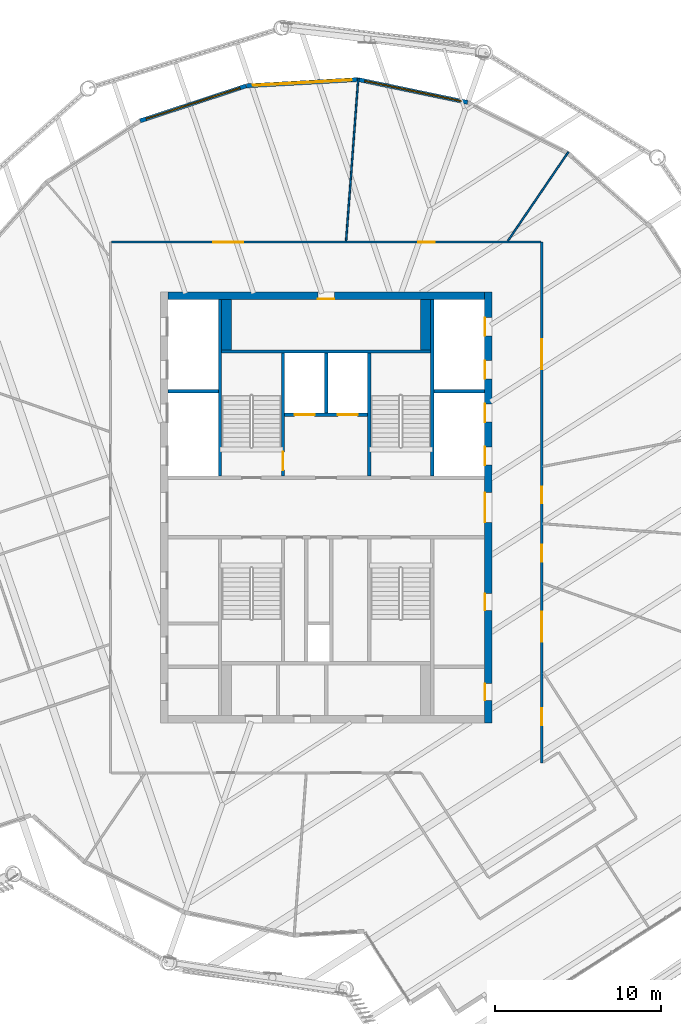
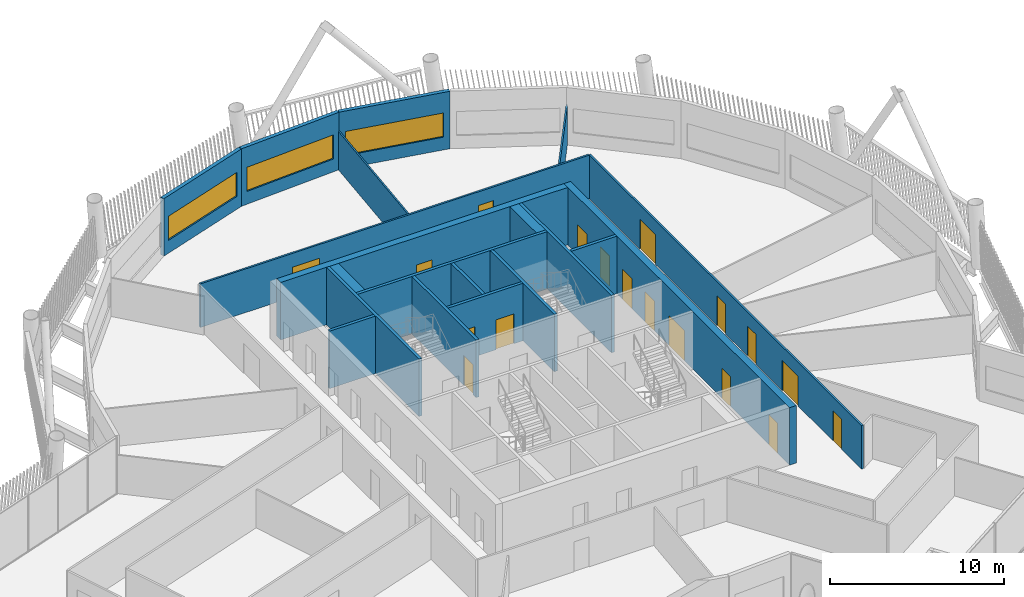
# One storey, part 19 of 35: 20 walls, 18 doors, 3 windows, 21 openings.
"""IFC4 building model written with IfcOpenShell, lengths in metres."""

from ifc_helpers import new_model, si_unit, direction, frame, frame_2d, origin, place, context, subcontext, project, spatial, rectangle, extrude, material, layer, layer_set, type_object, element, fill, save


model = new_model("IFC4")

# Units and contexts
model_context = context("Model", 3, precision=1e-05, world=origin(), true_north=direction((0.0, 1.0)))
body_context = subcontext(model_context, "Body", "Model", "MODEL_VIEW")
ifc_project = project(units=[si_unit("LENGTHUNIT", "METRE"), si_unit("AREAUNIT", "SQUARE_METRE"), si_unit("VOLUMEUNIT", "CUBIC_METRE"), si_unit("PLANEANGLEUNIT", "RADIAN"), si_unit("MASSUNIT", "GRAM", prefix="KILO")], contexts=[model_context])

# Site, building, storey
site_placement = place(None, origin())
site = spatial("IfcSite", under=ifc_project, at=site_placement, CompositionType="ELEMENT")
building_placement = place(site_placement, origin())
building = spatial("IfcBuilding", under=site, at=building_placement, Name="Tarsis Ring Headquarters", CompositionType="ELEMENT")
storey_placement = place(building_placement, frame((0.0, 0.0, 360.800048828125)))
storey = spatial("IfcBuildingStorey", under=building, at=storey_placement, Name="L85", CompositionType="ELEMENT", Elevation=360.800048828125)

# Wall, openings, doors
ifc_material_1 = material(Name="Concrete C50/60", Category="concrete")
ifc_layer_1 = layer(ifc_material_1, 0.449951171875)
ifc_layer_set_1 = layer_set([ifc_layer_1], Name="Core wall 450 C50/60")
wall_type_1 = type_object("IfcWallType", Name="Core wall 450 C50/60", PredefinedType="SHEAR", material=ifc_layer_set_1)
wall_1_placement = place(storey_placement, frame((9.77490234375, -13.0, 0.0), z_axis=(0.0, 0.0, 1.0), x_axis=(0.0, 1.0, 0.0)))
wall_1 = element("IfcWall", 1, at=wall_1_placement, inside=storey, type_object=wall_type_1, Name="Core wall OE", PredefinedType="SHEAR", context=body_context, shape_type="SweptSolid", body=[
    extrude(rectangle(XDim=26.0, YDim=0.449951171875, at=frame_2d((13.0, 0.0))), origin(), (0.0, 0.0, 1.0), 4.0400390625),
])
opening_1_placement = place(wall_1_placement, frame((1.375, 0.0, 0.0)))
opening_1 = element("IfcOpeningElement", 2, at=opening_1_placement, cuts=wall_1, Name="Opening L85-C09", PredefinedType="OPENING", context=body_context, shape_type="SweptSolid", body=[
    extrude(rectangle(XDim=1.0, YDim=2.10009765625, at=frame_2d((0.5, 1.050048828125))), frame((0.0, 0.23486328125, 0.0), z_axis=(0.0, -1.0, 0.0), x_axis=(1.0, 0.0, 0.0)), (0.0, 0.0, 1.0), 0.469970703125),
])
opening_2_placement = place(wall_1_placement, frame((6.800048828125, 0.0, 0.0)))
opening_2 = element("IfcOpeningElement", 3, at=opening_2_placement, cuts=wall_1, Name="Opening L85-C10", PredefinedType="OPENING", context=body_context, shape_type="SweptSolid", body=[
    extrude(rectangle(XDim=1.0, YDim=2.10009765625, at=frame_2d((0.5, 1.050048828125))), frame((0.0, 0.23486328125, 0.0), z_axis=(0.0, -1.0, 0.0), x_axis=(1.0, 0.0, 0.0)), (0.0, 0.0, 1.0), 0.469970703125),
])
opening_3_placement = place(wall_1_placement, frame((12.10009765625, 0.0, 0.0)))
opening_3 = element("IfcOpeningElement", 4, at=opening_3_placement, cuts=wall_1, Name="Opening L85-C11", PredefinedType="OPENING", context=body_context, shape_type="SweptSolid", body=[
    extrude(rectangle(XDim=1.800048828125, YDim=2.10009765625, at=frame_2d((0.89990234375, 1.050048828125))), frame((0.0, 0.23486328125, 0.0), z_axis=(0.0, -1.0, 0.0), x_axis=(1.0, 0.0, 0.0)), (0.0, 0.0, 1.0), 0.469970703125),
])
opening_4_placement = place(wall_1_placement, frame((15.550048828125, 0.0, 0.0)))
opening_4 = element("IfcOpeningElement", 5, at=opening_4_placement, cuts=wall_1, Name="Opening LD-HR5", PredefinedType="OPENING", context=body_context, shape_type="SweptSolid", body=[
    extrude(rectangle(XDim=1.10009765625, YDim=2.10009765625, at=frame_2d((0.550048828125, 1.050048828125))), frame((0.0, 0.23486328125, 0.0), z_axis=(0.0, -1.0, 0.0), x_axis=(1.0, 0.0, 0.0)), (0.0, 0.0, 1.0), 0.469970703125),
])
opening_5_placement = place(wall_1_placement, frame((18.14990234375, 0.0, 0.0)))
opening_5 = element("IfcOpeningElement", 6, at=opening_5_placement, cuts=wall_1, Name="Opening LD-HR6", PredefinedType="OPENING", context=body_context, shape_type="SweptSolid", body=[
    extrude(rectangle(XDim=1.10009765625, YDim=2.10009765625, at=frame_2d((0.550048828125, 1.050048828125))), frame((0.0, 0.23486328125, 0.0), z_axis=(0.0, -1.0, 0.0), x_axis=(1.0, 0.0, 0.0)), (0.0, 0.0, 1.0), 0.469970703125),
])
opening_6_placement = place(wall_1_placement, frame((20.75, 0.0, 0.0)))
opening_6 = element("IfcOpeningElement", 7, at=opening_6_placement, cuts=wall_1, Name="Opening LD-HR7", PredefinedType="OPENING", context=body_context, shape_type="SweptSolid", body=[
    extrude(rectangle(XDim=1.10009765625, YDim=2.10009765625, at=frame_2d((0.550048828125, 1.050048828125))), frame((0.0, 0.23486328125, 0.0), z_axis=(0.0, -1.0, 0.0), x_axis=(1.0, 0.0, 0.0)), (0.0, 0.0, 1.0), 0.469970703125),
])
opening_7_placement = place(wall_1_placement, frame((23.35009765625, 0.0, 0.0)))
opening_7 = element("IfcOpeningElement", 8, at=opening_7_placement, cuts=wall_1, Name="Opening LD-HR8", PredefinedType="OPENING", context=body_context, shape_type="SweptSolid", body=[
    extrude(rectangle(XDim=1.10009765625, YDim=2.10009765625, at=frame_2d((0.550048828125, 1.050048828125))), frame((0.0, 0.23486328125, 0.0), z_axis=(0.0, -1.0, 0.0), x_axis=(1.0, 0.0, 0.0)), (0.0, 0.0, 1.0), 0.469970703125),
])
ifc_material_2 = material(Name="Steel S355", Category="steel")
door_type_1 = type_object("IfcDoorType", Name="Core entry door 1800x2100", OperationType="DOUBLE_DOOR_SINGLE_SWING", PredefinedType="DOOR", material=ifc_material_2)
door_1_placement = place(opening_3_placement, origin())
door_1 = element("IfcDoor", 9, at=door_1_placement, inside=storey, type_object=door_type_1, Name="Core entry door L85", OperationType="DOUBLE_DOOR_SINGLE_SWING", OverallHeight=2.10009765625, OverallWidth=1.800048828125, PredefinedType="DOOR", context=body_context, shape_type="SweptSolid", body=[
    extrude(rectangle(XDim=1.800048828125, YDim=2.10009765625, at=frame_2d((0.89990234375, 1.050048828125))), frame((0.0, 0.22509765625, 0.0), z_axis=(0.0, -1.0, 0.0), x_axis=(1.0, 0.0, 0.0)), (0.0, 0.0, 1.0), 0.050048828125),
])
fill(opening_3, door_1)
door_type_2 = type_object("IfcDoorType", Name="Core room door 1000x2100", OperationType="SINGLE_SWING_LEFT", PredefinedType="DOOR", material=ifc_material_2)
door_2_placement = place(opening_1_placement, origin())
door_2 = element("IfcDoor", 10, at=door_2_placement, inside=storey, type_object=door_type_2, Name="Core room door L85", OperationType="SINGLE_SWING_LEFT", OverallHeight=2.10009765625, OverallWidth=1.0, PredefinedType="DOOR", context=body_context, shape_type="SweptSolid", body=[
    extrude(rectangle(XDim=1.0, YDim=2.10009765625, at=frame_2d((0.5, 1.050048828125))), frame((0.0, 0.22509765625, 0.0), z_axis=(0.0, -1.0, 0.0), x_axis=(1.0, 0.0, 0.0)), (0.0, 0.0, 1.0), 0.050048828125),
])
fill(opening_1, door_2)
door_3_placement = place(opening_2_placement, origin())
door_3 = element("IfcDoor", 11, at=door_3_placement, inside=storey, type_object=door_type_2, Name="Core room door L85", OperationType="SINGLE_SWING_LEFT", OverallHeight=2.10009765625, OverallWidth=1.0, PredefinedType="DOOR", context=body_context, shape_type="SweptSolid", body=[
    extrude(rectangle(XDim=1.0, YDim=2.10009765625, at=frame_2d((0.5, 1.050048828125))), frame((0.0, 0.22509765625, 0.0), z_axis=(0.0, -1.0, 0.0), x_axis=(1.0, 0.0, 0.0)), (0.0, 0.0, 1.0), 0.050048828125),
])
fill(opening_2, door_3)
door_type_3 = type_object("IfcDoorType", Name="Landing door 1100x2100", OperationType="SLIDING_TO_LEFT", PredefinedType="DOOR", material=ifc_material_2)
door_4_placement = place(opening_4_placement, origin())
door_4 = element("IfcDoor", 12, at=door_4_placement, inside=storey, type_object=door_type_3, Name="Landing door HR5 L85", OperationType="SLIDING_TO_LEFT", OverallHeight=2.10009765625, OverallWidth=1.10009765625, PredefinedType="DOOR", context=body_context, shape_type="SweptSolid", body=[
    extrude(rectangle(XDim=1.10009765625, YDim=2.10009765625, at=frame_2d((0.550048828125, 1.050048828125))), frame((0.0, 0.22509765625, 0.0), z_axis=(0.0, -1.0, 0.0), x_axis=(1.0, 0.0, 0.0)), (0.0, 0.0, 1.0), 0.050048828125),
])
fill(opening_4, door_4)
door_5_placement = place(opening_5_placement, origin())
door_5 = element("IfcDoor", 13, at=door_5_placement, inside=storey, type_object=door_type_3, Name="Landing door HR6 L85", OperationType="SLIDING_TO_LEFT", OverallHeight=2.10009765625, OverallWidth=1.10009765625, PredefinedType="DOOR", context=body_context, shape_type="SweptSolid", body=[
    extrude(rectangle(XDim=1.10009765625, YDim=2.10009765625, at=frame_2d((0.550048828125, 1.050048828125))), frame((0.0, 0.22509765625, 0.0), z_axis=(0.0, -1.0, 0.0), x_axis=(1.0, 0.0, 0.0)), (0.0, 0.0, 1.0), 0.050048828125),
])
fill(opening_5, door_5)
door_6_placement = place(opening_6_placement, origin())
door_6 = element("IfcDoor", 14, at=door_6_placement, inside=storey, type_object=door_type_3, Name="Landing door HR7 L85", OperationType="SLIDING_TO_LEFT", OverallHeight=2.10009765625, OverallWidth=1.10009765625, PredefinedType="DOOR", context=body_context, shape_type="SweptSolid", body=[
    extrude(rectangle(XDim=1.10009765625, YDim=2.10009765625, at=frame_2d((0.550048828125, 1.050048828125))), frame((0.0, 0.22509765625, 0.0), z_axis=(0.0, -1.0, 0.0), x_axis=(1.0, 0.0, 0.0)), (0.0, 0.0, 1.0), 0.050048828125),
])
fill(opening_6, door_6)
door_7_placement = place(opening_7_placement, origin())
door_7 = element("IfcDoor", 15, at=door_7_placement, inside=storey, type_object=door_type_3, Name="Landing door HR8 L85", OperationType="SLIDING_TO_LEFT", OverallHeight=2.10009765625, OverallWidth=1.10009765625, PredefinedType="DOOR", context=body_context, shape_type="SweptSolid", body=[
    extrude(rectangle(XDim=1.10009765625, YDim=2.10009765625, at=frame_2d((0.550048828125, 1.050048828125))), frame((0.0, 0.22509765625, 0.0), z_axis=(0.0, -1.0, 0.0), x_axis=(1.0, 0.0, 0.0)), (0.0, 0.0, 1.0), 0.050048828125),
])
fill(opening_7, door_7)

# Wall, opening, door
wall_2_placement = place(storey_placement, frame((-9.550048828125, 12.77490234375, 0.0), z_axis=(0.0, 0.0, 1.0), x_axis=(1.0, 0.0, 0.0)))
wall_2 = element("IfcWall", 16, at=wall_2_placement, inside=storey, type_object=wall_type_1, Name="Core wall ON", PredefinedType="SHEAR", context=body_context, shape_type="SweptSolid", body=[
    extrude(rectangle(XDim=19.10009765625, YDim=0.449951171875, at=frame_2d((9.550048828125, 0.0))), origin(), (0.0, 0.0, 1.0), 4.0400390625),
])
opening_8_placement = place(wall_2_placement, frame((9.050048828125, 0.0, 0.0)))
opening_8 = element("IfcOpeningElement", 17, at=opening_8_placement, cuts=wall_2, Name="Opening L85-C16", PredefinedType="OPENING", context=body_context, shape_type="SweptSolid", body=[
    extrude(rectangle(XDim=1.0, YDim=2.10009765625, at=frame_2d((0.5, 1.050048828125))), frame((0.0, 0.23486328125, 0.0), z_axis=(0.0, -1.0, 0.0), x_axis=(1.0, 0.0, 0.0)), (0.0, 0.0, 1.0), 0.469970703125),
])
door_8_placement = place(opening_8_placement, origin())
door_8 = element("IfcDoor", 18, at=door_8_placement, inside=storey, type_object=door_type_2, Name="Core room door L85", OperationType="SINGLE_SWING_LEFT", OverallHeight=2.10009765625, OverallWidth=1.0, PredefinedType="DOOR", context=body_context, shape_type="SweptSolid", body=[
    extrude(rectangle(XDim=1.0, YDim=2.10009765625, at=frame_2d((0.5, 1.050048828125))), frame((0.0, -0.1748046875, 0.0), z_axis=(0.0, -1.0, 0.0), x_axis=(1.0, 0.0, 0.0)), (0.0, 0.0, 1.0), 0.050048828125),
])
fill(opening_8, door_8)

# Walls
ifc_material_3 = material(Name="Gypsum board on steel studs", Category="steel")
ifc_layer_2 = layer(ifc_material_3, 0.10009765625)
ifc_layer_set_2 = layer_set([ifc_layer_2], Name="FL partition 100 unrated")
wall_type_2 = type_object("IfcWallType", Name="FL partition 100 unrated", PredefinedType="PARTITIONING", material=ifc_layer_set_2)
wall_3_placement = place(storey_placement, frame((1.20263671875, 16.06982421875, 0.0), z_axis=(0.0, 0.0, 1.0), x_axis=(0.074634402862, 0.997210963593, 0.0)))
element("IfcWall", 19, at=wall_3_placement, inside=storey, type_object=wall_type_2, Name="Partition PW3", PredefinedType="PARTITIONING", context=body_context, shape_type="SweptSolid", body=[
    extrude(rectangle(XDim=9.8330078125, YDim=0.10009765625, at=frame_2d((4.91650390625, 0.0))), origin(), (0.0, 0.0, 1.0), 2.699951171875),
])
wall_4_placement = place(storey_placement, frame((10.962646484375, 16.08251953125, 0.0), z_axis=(0.0, 0.0, 1.0), x_axis=(0.563211812609, 0.826312564432, 0.0)))
element("IfcWall", 20, at=wall_4_placement, inside=storey, type_object=wall_type_2, Name="Partition PW3", PredefinedType="PARTITIONING", context=body_context, shape_type="SweptSolid", body=[
    extrude(rectangle(XDim=6.484375, YDim=0.10009765625, at=frame_2d((3.2421875, 0.0))), origin(), (0.0, 0.0, 1.0), 2.699951171875),
])

# Wall, openings, doors
ifc_layer_3 = layer(ifc_material_3, 0.125)
ifc_layer_set_3 = layer_set([ifc_layer_3], Name="FL partition 125 EI 60 H3070")
wall_type_3 = type_object("IfcWallType", Name="FL partition 125 EI 60 H3070", PredefinedType="PARTITIONING", material=ifc_layer_set_3)
wall_5_placement = place(storey_placement, frame((13.0, -15.419189453125, 0.0), z_axis=(0.0, 0.0, 1.0), x_axis=(0.0, 1.0, 0.0)))
wall_5 = element("IfcWall", 21, at=wall_5_placement, inside=storey, type_object=wall_type_3, Name="Partition PW1H307", PredefinedType="PARTITIONING", context=body_context, shape_type="SweptSolid", body=[
    extrude(rectangle(XDim=31.419189453125, YDim=0.125, at=frame_2d((15.70947265625, 0.0))), origin(), (0.0, 0.0, 1.0), 3.070068359375),
])
opening_9_placement = place(wall_5_placement, frame((23.749755859375, 0.0, 0.0)))
opening_9 = element("IfcOpeningElement", 22, at=opening_9_placement, cuts=wall_5, Name="Opening D85.07", PredefinedType="OPENING", context=body_context, shape_type="SweptSolid", body=[
    extrude(rectangle(XDim=1.800048828125, YDim=2.10009765625, at=frame_2d((0.89990234375, 1.050048828125))), frame((0.0, 0.072509765625, 0.0), z_axis=(0.0, -1.0, 0.0), x_axis=(1.0, 0.0, 0.0)), (0.0, 0.0, 1.0), 0.14501953125),
])
opening_10_placement = place(wall_5_placement, frame((15.663330078125, 0.0, 0.0)))
opening_10 = element("IfcOpeningElement", 23, at=opening_10_placement, cuts=wall_5, Name="Opening D85.08", PredefinedType="OPENING", context=body_context, shape_type="SweptSolid", body=[
    extrude(rectangle(XDim=1.0, YDim=2.10009765625, at=frame_2d((0.5, 1.050048828125))), frame((0.0, 0.072509765625, 0.0), z_axis=(0.0, -1.0, 0.0), x_axis=(1.0, 0.0, 0.0)), (0.0, 0.0, 1.0), 0.14501953125),
])
opening_11_placement = place(wall_5_placement, frame((12.158935546875, 0.0, 0.0)))
opening_11 = element("IfcOpeningElement", 24, at=opening_11_placement, cuts=wall_5, Name="Opening D85.09", PredefinedType="OPENING", context=body_context, shape_type="SweptSolid", body=[
    extrude(rectangle(XDim=1.0, YDim=2.10009765625, at=frame_2d((0.5, 1.050048828125))), frame((0.0, 0.072509765625, 0.0), z_axis=(0.0, -1.0, 0.0), x_axis=(1.0, 0.0, 0.0)), (0.0, 0.0, 1.0), 0.14501953125),
])
opening_12_placement = place(wall_5_placement, frame((7.336181640625, 0.0, 0.0)))
opening_12 = element("IfcOpeningElement", 25, at=opening_12_placement, cuts=wall_5, Name="Opening D85.10", PredefinedType="OPENING", context=body_context, shape_type="SweptSolid", body=[
    extrude(rectangle(XDim=1.800048828125, YDim=2.10009765625, at=frame_2d((0.89990234375, 1.050048828125))), frame((0.0, 0.072509765625, 0.0), z_axis=(0.0, -1.0, 0.0), x_axis=(1.0, 0.0, 0.0)), (0.0, 0.0, 1.0), 0.14501953125),
])
opening_13_placement = place(wall_5_placement, frame((2.30029296875, 0.0, 0.0)))
opening_13 = element("IfcOpeningElement", 26, at=opening_13_placement, cuts=wall_5, Name="Opening D85.15", PredefinedType="OPENING", context=body_context, shape_type="SweptSolid", body=[
    extrude(rectangle(XDim=1.0, YDim=2.10009765625, at=frame_2d((0.5, 1.050048828125))), frame((0.0, 0.072509765625, 0.0), z_axis=(0.0, -1.0, 0.0), x_axis=(1.0, 0.0, 0.0)), (0.0, 0.0, 1.0), 0.14501953125),
])
ifc_material_4 = material(Name="Fire-rated timber door leaf in steel frame", Category="steel")
door_type_4 = type_object("IfcDoorType", Name="FL door FD60-1000", OperationType="NOTDEFINED", PredefinedType="DOOR", material=ifc_material_4)
door_9_placement = place(opening_10_placement, origin())
door_9 = element("IfcDoor", 27, at=door_9_placement, inside=storey, type_object=door_type_4, Name="Door D85.08", OperationType="SINGLE_SWING_LEFT", OverallHeight=2.10009765625, OverallWidth=1.0, PredefinedType="DOOR", context=body_context, shape_type="SweptSolid", body=[
    extrude(rectangle(XDim=1.0, YDim=2.10009765625, at=frame_2d((0.5, 1.050048828125))), frame((0.0, 0.02490234375, 0.0), z_axis=(0.0, -1.0, 0.0), x_axis=(1.0, 0.0, 0.0)), (0.0, 0.0, 1.0), 0.050048828125),
])
fill(opening_10, door_9)
door_10_placement = place(opening_11_placement, origin())
door_10 = element("IfcDoor", 28, at=door_10_placement, inside=storey, type_object=door_type_4, Name="Door D85.09", OperationType="SINGLE_SWING_RIGHT", OverallHeight=2.10009765625, OverallWidth=1.0, PredefinedType="DOOR", context=body_context, shape_type="SweptSolid", body=[
    extrude(rectangle(XDim=1.0, YDim=2.10009765625, at=frame_2d((0.5, 1.050048828125))), frame((0.0, 0.02490234375, 0.0), z_axis=(0.0, -1.0, 0.0), x_axis=(1.0, 0.0, 0.0)), (0.0, 0.0, 1.0), 0.050048828125),
])
fill(opening_11, door_10)
door_11_placement = place(opening_13_placement, origin())
door_11 = element("IfcDoor", 29, at=door_11_placement, inside=storey, type_object=door_type_4, Name="Door D85.15", OperationType="SINGLE_SWING_RIGHT", OverallHeight=2.10009765625, OverallWidth=1.0, PredefinedType="DOOR", context=body_context, shape_type="SweptSolid", body=[
    extrude(rectangle(XDim=1.0, YDim=2.10009765625, at=frame_2d((0.5, 1.050048828125))), frame((0.0, 0.02490234375, 0.0), z_axis=(0.0, -1.0, 0.0), x_axis=(1.0, 0.0, 0.0)), (0.0, 0.0, 1.0), 0.050048828125),
])
fill(opening_13, door_11)
door_type_5 = type_object("IfcDoorType", Name="FL door FD60-1800", OperationType="DOUBLE_DOOR_SINGLE_SWING", PredefinedType="DOOR", material=ifc_material_4)
door_12_placement = place(opening_9_placement, origin())
door_12 = element("IfcDoor", 30, at=door_12_placement, inside=storey, type_object=door_type_5, Name="Door D85.07", OperationType="DOUBLE_DOOR_SINGLE_SWING", OverallHeight=2.10009765625, OverallWidth=1.800048828125, PredefinedType="DOOR", context=body_context, shape_type="SweptSolid", body=[
    extrude(rectangle(XDim=1.800048828125, YDim=2.10009765625, at=frame_2d((0.89990234375, 1.050048828125))), frame((0.0, 0.02490234375, 0.0), z_axis=(0.0, -1.0, 0.0), x_axis=(1.0, 0.0, 0.0)), (0.0, 0.0, 1.0), 0.050048828125),
])
fill(opening_9, door_12)
door_13_placement = place(opening_12_placement, origin())
door_13 = element("IfcDoor", 31, at=door_13_placement, inside=storey, type_object=door_type_5, Name="Door D85.10", OperationType="DOUBLE_DOOR_SINGLE_SWING", OverallHeight=2.10009765625, OverallWidth=1.800048828125, PredefinedType="DOOR", context=body_context, shape_type="SweptSolid", body=[
    extrude(rectangle(XDim=1.800048828125, YDim=2.10009765625, at=frame_2d((0.89990234375, 1.050048828125))), frame((0.0, 0.02490234375, 0.0), z_axis=(0.0, -1.0, 0.0), x_axis=(1.0, 0.0, 0.0)), (0.0, 0.0, 1.0), 0.050048828125),
])
fill(opening_12, door_13)

wall_6_placement = place(storey_placement, frame((-12.93994140625, 16.0, 0.0), z_axis=(0.0, 0.0, 1.0), x_axis=(1.0, 0.0, 0.0)))
wall_6 = element("IfcWall", 32, at=wall_6_placement, inside=storey, type_object=wall_type_3, Name="Partition PW1H307", PredefinedType="PARTITIONING", context=body_context, shape_type="SweptSolid", body=[
    extrude(rectangle(XDim=25.8798828125, YDim=0.125, at=frame_2d((12.93994140625, 0.0))), origin(), (0.0, 0.0, 1.0), 3.070068359375),
])
opening_14_placement = place(wall_6_placement, frame((6.138671875, 0.0, 0.0)))
opening_14 = element("IfcOpeningElement", 33, at=opening_14_placement, cuts=wall_6, Name="Opening D85.05", PredefinedType="OPENING", context=body_context, shape_type="SweptSolid", body=[
    extrude(rectangle(XDim=1.800048828125, YDim=2.10009765625, at=frame_2d((0.89990234375, 1.050048828125))), frame((0.0, 0.072509765625, 0.0), z_axis=(0.0, -1.0, 0.0), x_axis=(1.0, 0.0, 0.0)), (0.0, 0.0, 1.0), 0.14501953125),
])
opening_15_placement = place(wall_6_placement, frame((18.491943359375, 0.0, 0.0)))
opening_15 = element("IfcOpeningElement", 34, at=opening_15_placement, cuts=wall_6, Name="Opening D85.06", PredefinedType="OPENING", context=body_context, shape_type="SweptSolid", body=[
    extrude(rectangle(XDim=1.0, YDim=2.10009765625, at=frame_2d((0.5, 1.050048828125))), frame((0.0, 0.072509765625, 0.0), z_axis=(0.0, -1.0, 0.0), x_axis=(1.0, 0.0, 0.0)), (0.0, 0.0, 1.0), 0.14501953125),
])
door_14_placement = place(opening_15_placement, origin())
door_14 = element("IfcDoor", 35, at=door_14_placement, inside=storey, type_object=door_type_4, Name="Door D85.06", OperationType="SINGLE_SWING_LEFT", OverallHeight=2.10009765625, OverallWidth=1.0, PredefinedType="DOOR", context=body_context, shape_type="SweptSolid", body=[
    extrude(rectangle(XDim=1.0, YDim=2.10009765625, at=frame_2d((0.5, 1.050048828125))), frame((0.0, 0.02490234375, 0.0), z_axis=(0.0, -1.0, 0.0), x_axis=(1.0, 0.0, 0.0)), (0.0, 0.0, 1.0), 0.050048828125),
])
fill(opening_15, door_14)
door_15_placement = place(opening_14_placement, origin())
door_15 = element("IfcDoor", 36, at=door_15_placement, inside=storey, type_object=door_type_5, Name="Door D85.05", OperationType="DOUBLE_DOOR_SINGLE_SWING", OverallHeight=2.10009765625, OverallWidth=1.800048828125, PredefinedType="DOOR", context=body_context, shape_type="SweptSolid", body=[
    extrude(rectangle(XDim=1.800048828125, YDim=2.10009765625, at=frame_2d((0.89990234375, 1.050048828125))), frame((0.0, 0.02490234375, 0.0), z_axis=(0.0, -1.0, 0.0), x_axis=(1.0, 0.0, 0.0)), (0.0, 0.0, 1.0), 0.050048828125),
])
fill(opening_14, door_15)

# Wall, opening, window
ifc_material_5 = material(Name="Terracotta clad insulated panel wall", Category="masonry")
ifc_layer_4 = layer(ifc_material_5, 0.25)
ifc_layer_set_4 = layer_set([ifc_layer_4], Name="Facade wall terracotta panel 250")
wall_type_4 = type_object("IfcWallType", Name="Facade wall terracotta panel 250", PredefinedType="STANDARD", material=ifc_layer_set_4)
wall_7_placement = place(storey_placement, frame((8.527099609375, 24.42626953125, 0.0), z_axis=(0.0, 0.0, 1.0), x_axis=(-0.978944142938, 0.204128305258, 0.0)))
wall_7 = element("IfcWall", 37, at=wall_7_placement, inside=storey, type_object=wall_type_4, Name="External wall L85-24", PredefinedType="STANDARD", context=body_context, shape_type="SweptSolid", body=[
    extrude(rectangle(XDim=6.7216796875, YDim=0.25, at=frame_2d((3.36083984375, 0.0))), origin(), (0.0, 0.0, 1.0), 4.0400390625),
])
opening_16_placement = place(wall_7_placement, frame((0.3857421875, 0.0, 0.89990234375)))
opening_16 = element("IfcOpeningElement", 38, at=opening_16_placement, cuts=wall_7, Name="Opening WN07", PredefinedType="OPENING", context=body_context, shape_type="SweptSolid", body=[
    extrude(rectangle(XDim=5.949951171875, YDim=1.699951171875, at=frame_2d((2.97509765625, 0.85009765625))), frame((0.0, 0.135009765625, 0.0), z_axis=(0.0, -1.0, 0.0), x_axis=(1.0, 0.0, 0.0)), (0.0, 0.0, 1.0), 0.27001953125),
])
ifc_material_6 = material(Name="Aluminium framed double glazing", Category="aluminium")
window_type = type_object("IfcWindowType", Name="Facade window 5950 x 1700", PartitioningType="SINGLE_PANEL", PredefinedType="WINDOW", material=ifc_material_6)
window_1_placement = place(opening_16_placement, origin())
window_1 = element("IfcWindow", 39, at=window_1_placement, inside=storey, type_object=window_type, Name="Window L85-24.1", OverallHeight=1.699951171875, OverallWidth=5.949951171875, PartitioningType="SINGLE_PANEL", PredefinedType="WINDOW", context=body_context, shape_type="SweptSolid", body=[
    extrude(rectangle(XDim=5.949951171875, YDim=1.699951171875, at=frame_2d((2.97509765625, 0.85009765625))), frame((0.0, 0.030029296875, 0.0), z_axis=(0.0, -1.0, 0.0), x_axis=(1.0, 0.0, 0.0)), (0.0, 0.0, 1.0), 0.06005859375),
])
fill(opening_16, window_1)

wall_8_placement = place(storey_placement, frame((1.91455078125, 25.80078125, 0.0), z_axis=(0.0, 0.0, 1.0), x_axis=(-0.998422120421, -0.056153979852, 0.0)))
wall_8 = element("IfcWall", 40, at=wall_8_placement, inside=storey, type_object=wall_type_4, Name="External wall L85-25", PredefinedType="STANDARD", context=body_context, shape_type="SweptSolid", body=[
    extrude(rectangle(XDim=6.721435546875, YDim=0.25, at=frame_2d((3.36083984375, 0.0))), origin(), (0.0, 0.0, 1.0), 4.0400390625),
])
opening_17_placement = place(wall_8_placement, frame((0.3857421875, 0.0, 0.89990234375)))
opening_17 = element("IfcOpeningElement", 41, at=opening_17_placement, cuts=wall_8, Name="Opening WN07", PredefinedType="OPENING", context=body_context, shape_type="SweptSolid", body=[
    extrude(rectangle(XDim=5.949951171875, YDim=1.699951171875, at=frame_2d((2.97509765625, 0.85009765625))), frame((0.0, 0.135009765625, 0.0), z_axis=(0.0, -1.0, 0.0), x_axis=(1.0, 0.0, 0.0)), (0.0, 0.0, 1.0), 0.27001953125),
])
window_2_placement = place(opening_17_placement, origin())
window_2 = element("IfcWindow", 42, at=window_2_placement, inside=storey, type_object=window_type, Name="Window L85-25.1", OverallHeight=1.699951171875, OverallWidth=5.949951171875, PartitioningType="SINGLE_PANEL", PredefinedType="WINDOW", context=body_context, shape_type="SweptSolid", body=[
    extrude(rectangle(XDim=5.949951171875, YDim=1.699951171875, at=frame_2d((2.97509765625, 0.85009765625))), frame((0.0, 0.030029296875, 0.0), z_axis=(0.0, -1.0, 0.0), x_axis=(1.0, 0.0, 0.0)), (0.0, 0.0, 1.0), 0.06005859375),
])
fill(opening_17, window_2)

wall_9_placement = place(storey_placement, frame((-4.828369140625, 25.417236328125, 0.0), z_axis=(0.0, 0.0, 1.0), x_axis=(-0.949864345433, -0.312662318286, 0.0)))
wall_9 = element("IfcWall", 43, at=wall_9_placement, inside=storey, type_object=wall_type_4, Name="External wall L85-26", PredefinedType="STANDARD", context=body_context, shape_type="SweptSolid", body=[
    extrude(rectangle(XDim=6.721435546875, YDim=0.25, at=frame_2d((3.36083984375, 0.0))), origin(), (0.0, 0.0, 1.0), 4.0400390625),
])
opening_18_placement = place(wall_9_placement, frame((0.3857421875, 0.0, 0.89990234375)))
opening_18 = element("IfcOpeningElement", 44, at=opening_18_placement, cuts=wall_9, Name="Opening WN07", PredefinedType="OPENING", context=body_context, shape_type="SweptSolid", body=[
    extrude(rectangle(XDim=5.949951171875, YDim=1.699951171875, at=frame_2d((2.97509765625, 0.85009765625))), frame((0.0, 0.135009765625, 0.0), z_axis=(0.0, -1.0, 0.0), x_axis=(1.0, 0.0, 0.0)), (0.0, 0.0, 1.0), 0.27001953125),
])
window_3_placement = place(opening_18_placement, origin())
window_3 = element("IfcWindow", 45, at=window_3_placement, inside=storey, type_object=window_type, Name="Window L85-26.1", OverallHeight=1.699951171875, OverallWidth=5.949951171875, PartitioningType="SINGLE_PANEL", PredefinedType="WINDOW", context=body_context, shape_type="SweptSolid", body=[
    extrude(rectangle(XDim=5.949951171875, YDim=1.699951171875, at=frame_2d((2.97509765625, 0.85009765625))), frame((0.0, 0.030029296875, 0.0), z_axis=(0.0, -1.0, 0.0), x_axis=(1.0, 0.0, 0.0)), (0.0, 0.0, 1.0), 0.06005859375),
])
fill(opening_18, window_3)

# Walls
ifc_material_7 = material(Name="Concrete C32/40", Category="concrete")
ifc_layer_5 = layer(ifc_material_7, 0.60009765625)
ifc_layer_set_5 = layer_set([ifc_layer_5], Name="Shaft end wall 600 C32/40")
wall_type_5 = type_object("IfcWallType", Name="Shaft end wall 600 C32/40", PredefinedType="SOLIDWALL", material=ifc_layer_set_5)
for number, where, z_axis, x_axis, name in (
    (46, (-6.0, 9.5, 0.0), (0.0, 0.0, 1.0), (0.0, 1.0, 0.0), "Core shaft wall NNE1"),
    (47, (6.0, 9.5, 0.0), (0.0, 0.0, 1.0), (0.0, 1.0, 0.0), "Core shaft wall NNE2"),
):
    element("IfcWall", number, at=place(storey_placement, frame(where, z_axis=z_axis, x_axis=x_axis)), inside=storey, type_object=wall_type_5, Name=name, PredefinedType="SOLIDWALL", context=body_context, shape_type="SweptSolid", body=[
        extrude(rectangle(XDim=3.050048828125, YDim=0.60009765625, at=frame_2d((1.52490234375, 0.0))), origin(), (0.0, 0.0, 1.0), 4.0400390625),
    ])
ifc_layer_6 = layer(ifc_material_7, 0.199951171875)
ifc_layer_set_6 = layer_set([ifc_layer_6], Name="Shaft wall 200 C32/40")
wall_type_6 = type_object("IfcWallType", Name="Shaft wall 200 C32/40", PredefinedType="SOLIDWALL", material=ifc_layer_set_6)
for number, where, z_axis, x_axis, name in (
    (48, (-6.39990234375, 1.89990234375, 0.0), (0.0, 0.0, 1.0), (0.0, 1.0, 0.0), "Core shaft wall WB2"),
    (49, (6.39990234375, 1.89990234375, 0.0), (0.0, 0.0, 1.0), (0.0, 1.0, 0.0), "Core shaft wall EB2"),
):
    element("IfcWall", number, at=place(storey_placement, frame(where, z_axis=z_axis, x_axis=x_axis)), inside=storey, type_object=wall_type_6, Name=name, PredefinedType="SOLIDWALL", context=body_context, shape_type="SweptSolid", body=[
        extrude(rectangle(XDim=10.650146484375, YDim=0.199951171875, at=frame_2d((5.3251953125, 0.0))), origin(), (0.0, 0.0, 1.0), 4.0400390625),
    ])
wall_10_placement = place(storey_placement, frame((-6.300048828125, 9.39990234375, 0.0), z_axis=(0.0, 0.0, 1.0), x_axis=(1.0, 0.0, 0.0)))
element("IfcWall", 50, at=wall_10_placement, inside=storey, type_object=wall_type_6, Name="Core shaft wall NB", PredefinedType="SOLIDWALL", context=body_context, shape_type="SweptSolid", body=[
    extrude(rectangle(XDim=12.60009765625, YDim=0.199951171875, at=frame_2d((6.300048828125, 0.0))), origin(), (0.0, 0.0, 1.0), 4.0400390625),
])

# Wall, opening, door
wall_11_placement = place(storey_placement, frame((-2.60009765625, 1.89990234375, 0.0), z_axis=(0.0, 0.0, 1.0), x_axis=(0.0, 1.0, 0.0)))
wall_11 = element("IfcWall", 51, at=wall_11_placement, inside=storey, type_object=wall_type_6, Name="Core shaft wall SW1", PredefinedType="SOLIDWALL", context=body_context, shape_type="SweptSolid", body=[
    extrude(rectangle(XDim=7.400146484375, YDim=0.199951171875, at=frame_2d((3.7001953125, 0.0))), origin(), (0.0, 0.0, 1.0), 4.0400390625),
])
opening_19_placement = place(wall_11_placement, frame((0.35009765625, 0.0, 0.0)))
opening_19 = element("IfcOpeningElement", 52, at=opening_19_placement, cuts=wall_11, Name="Opening L85-C28", PredefinedType="OPENING", context=body_context, shape_type="SweptSolid", body=[
    extrude(rectangle(XDim=1.10009765625, YDim=2.10009765625, at=frame_2d((0.550048828125, 1.050048828125))), frame((0.0, 0.10986328125, 0.0), z_axis=(0.0, -1.0, 0.0), x_axis=(1.0, 0.0, 0.0)), (0.0, 0.0, 1.0), 0.219970703125),
])
door_type_6 = type_object("IfcDoorType", Name="Stair door 1100x2100", OperationType="SINGLE_SWING_LEFT", PredefinedType="DOOR", material=ifc_material_2)
door_16_placement = place(opening_19_placement, origin())
door_16 = element("IfcDoor", 53, at=door_16_placement, inside=storey, type_object=door_type_6, Name="Stair door L85", OperationType="SINGLE_SWING_LEFT", OverallHeight=2.10009765625, OverallWidth=1.10009765625, PredefinedType="DOOR", context=body_context, shape_type="SweptSolid", body=[
    extrude(rectangle(XDim=1.10009765625, YDim=2.10009765625, at=frame_2d((0.550048828125, 1.050048828125))), frame((0.0, 0.02490234375, 0.0), z_axis=(0.0, -1.0, 0.0), x_axis=(1.0, 0.0, 0.0)), (0.0, 0.0, 1.0), 0.050048828125),
])
fill(opening_19, door_16)

# Wall
wall_12_placement = place(storey_placement, frame((2.60009765625, 1.89990234375, 0.0), z_axis=(0.0, 0.0, 1.0), x_axis=(0.0, 1.0, 0.0)))
element("IfcWall", 54, at=wall_12_placement, inside=storey, type_object=wall_type_6, Name="Core shaft wall SW2", PredefinedType="SOLIDWALL", context=body_context, shape_type="SweptSolid", body=[
    extrude(rectangle(XDim=7.400146484375, YDim=0.199951171875, at=frame_2d((3.7001953125, 0.0))), origin(), (0.0, 0.0, 1.0), 4.0400390625),
])

# Wall, openings, doors
wall_13_placement = place(storey_placement, frame((-2.5, 5.60009765625, 0.0), z_axis=(0.0, 0.0, 1.0), x_axis=(1.0, 0.0, 0.0)))
wall_13 = element("IfcWall", 55, at=wall_13_placement, inside=storey, type_object=wall_type_6, Name="Core shaft wall FFN", PredefinedType="SOLIDWALL", context=body_context, shape_type="SweptSolid", body=[
    extrude(rectangle(XDim=5.0, YDim=0.199951171875, at=frame_2d((2.5, 0.0))), origin(), (0.0, 0.0, 1.0), 4.0400390625),
])
opening_20_placement = place(wall_13_placement, frame((0.60009765625, 0.0, 0.0)))
opening_20 = element("IfcOpeningElement", 56, at=opening_20_placement, cuts=wall_13, Name="Opening LDF-1", PredefinedType="OPENING", context=body_context, shape_type="SweptSolid", body=[
    extrude(rectangle(XDim=1.199951171875, YDim=2.10009765625, at=frame_2d((0.60009765625, 1.050048828125))), frame((0.0, 0.10986328125, 0.0), z_axis=(0.0, -1.0, 0.0), x_axis=(1.0, 0.0, 0.0)), (0.0, 0.0, 1.0), 0.219970703125),
])
opening_21_placement = place(wall_13_placement, frame((3.199951171875, 0.0, 0.0)))
opening_21 = element("IfcOpeningElement", 57, at=opening_21_placement, cuts=wall_13, Name="Opening LDF-2", PredefinedType="OPENING", context=body_context, shape_type="SweptSolid", body=[
    extrude(rectangle(XDim=1.199951171875, YDim=2.10009765625, at=frame_2d((0.60009765625, 1.050048828125))), frame((0.0, 0.10986328125, 0.0), z_axis=(0.0, -1.0, 0.0), x_axis=(1.0, 0.0, 0.0)), (0.0, 0.0, 1.0), 0.219970703125),
])
door_type_7 = type_object("IfcDoorType", Name="Firefighting landing door 1200x2100", OperationType="SLIDING_TO_LEFT", PredefinedType="DOOR", material=ifc_material_2)
door_17_placement = place(opening_20_placement, origin())
door_17 = element("IfcDoor", 58, at=door_17_placement, inside=storey, type_object=door_type_7, Name="Landing door FF1 L85", OperationType="SLIDING_TO_LEFT", OverallHeight=2.10009765625, OverallWidth=1.199951171875, PredefinedType="DOOR", context=body_context, shape_type="SweptSolid", body=[
    extrude(rectangle(XDim=1.199951171875, YDim=2.10009765625, at=frame_2d((0.60009765625, 1.050048828125))), frame((0.0, 0.02490234375, 0.0), z_axis=(0.0, -1.0, 0.0), x_axis=(1.0, 0.0, 0.0)), (0.0, 0.0, 1.0), 0.050048828125),
])
fill(opening_20, door_17)
door_18_placement = place(opening_21_placement, origin())
door_18 = element("IfcDoor", 59, at=door_18_placement, inside=storey, type_object=door_type_7, Name="Landing door FF2 L85", OperationType="SLIDING_TO_LEFT", OverallHeight=2.10009765625, OverallWidth=1.199951171875, PredefinedType="DOOR", context=body_context, shape_type="SweptSolid", body=[
    extrude(rectangle(XDim=1.199951171875, YDim=2.10009765625, at=frame_2d((0.60009765625, 1.050048828125))), frame((0.0, 0.02490234375, 0.0), z_axis=(0.0, -1.0, 0.0), x_axis=(1.0, 0.0, 0.0)), (0.0, 0.0, 1.0), 0.050048828125),
])
fill(opening_21, door_18)

# Walls
wall_14_placement = place(storey_placement, frame((0.0, 5.699951171875, 0.0), z_axis=(0.0, 0.0, 1.0), x_axis=(0.0, 1.0, 0.0)))
element("IfcWall", 60, at=wall_14_placement, inside=storey, type_object=wall_type_6, Name="Core shaft wall FFD", PredefinedType="SOLIDWALL", context=body_context, shape_type="SweptSolid", body=[
    extrude(rectangle(XDim=3.60009765625, YDim=0.199951171875, at=frame_2d((1.800048828125, 0.0))), origin(), (0.0, 0.0, 1.0), 4.0400390625),
])
for number, where, z_axis, x_axis, name in (
    (61, (-9.550048828125, 7.0, 0.0), (0.0, 0.0, 1.0), (1.0, 0.0, 0.0), "Core shaft wall WD6"),
    (62, (6.5, 7.0, 0.0), (0.0, 0.0, 1.0), (1.0, 0.0, 0.0), "Core shaft wall ED6"),
):
    element("IfcWall", number, at=place(storey_placement, frame(where, z_axis=z_axis, x_axis=x_axis)), inside=storey, type_object=wall_type_6, Name=name, PredefinedType="SOLIDWALL", context=body_context, shape_type="SweptSolid", body=[
        extrude(rectangle(XDim=3.050048828125, YDim=0.199951171875, at=frame_2d((1.52490234375, 0.0))), origin(), (0.0, 0.0, 1.0), 4.0400390625),
    ])

save(model, "model.ifc")
